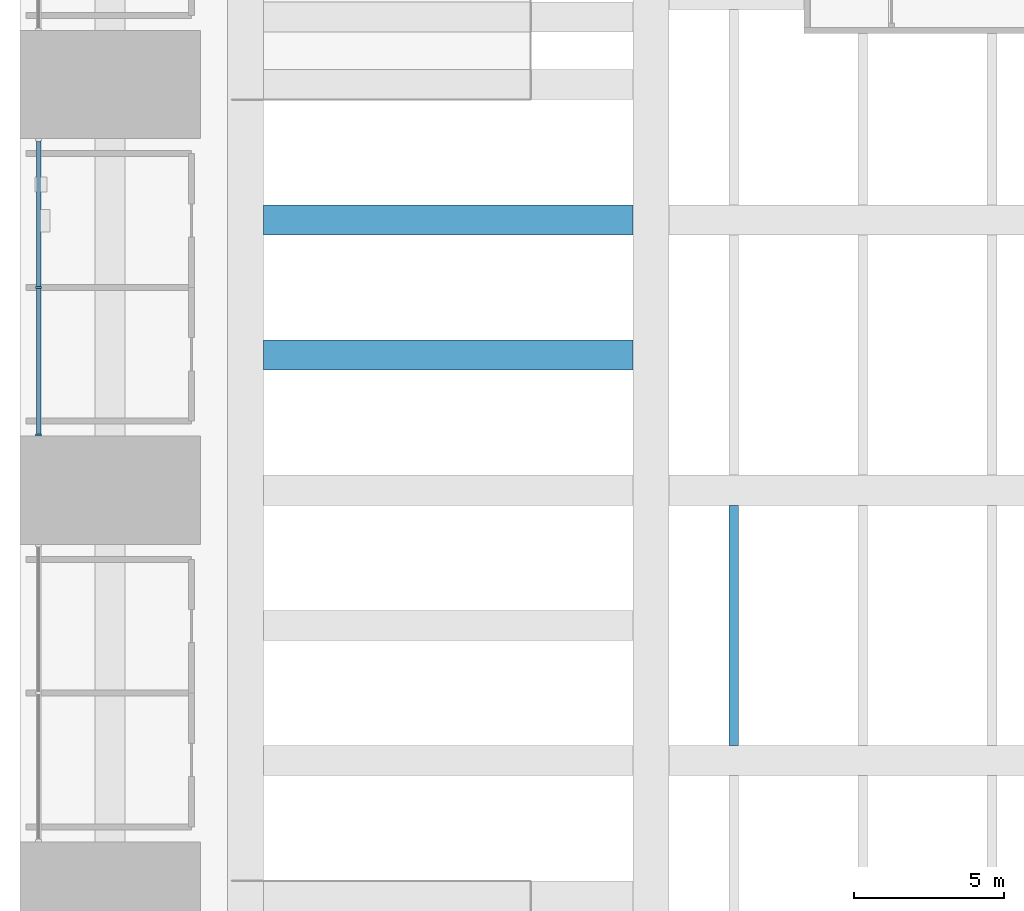
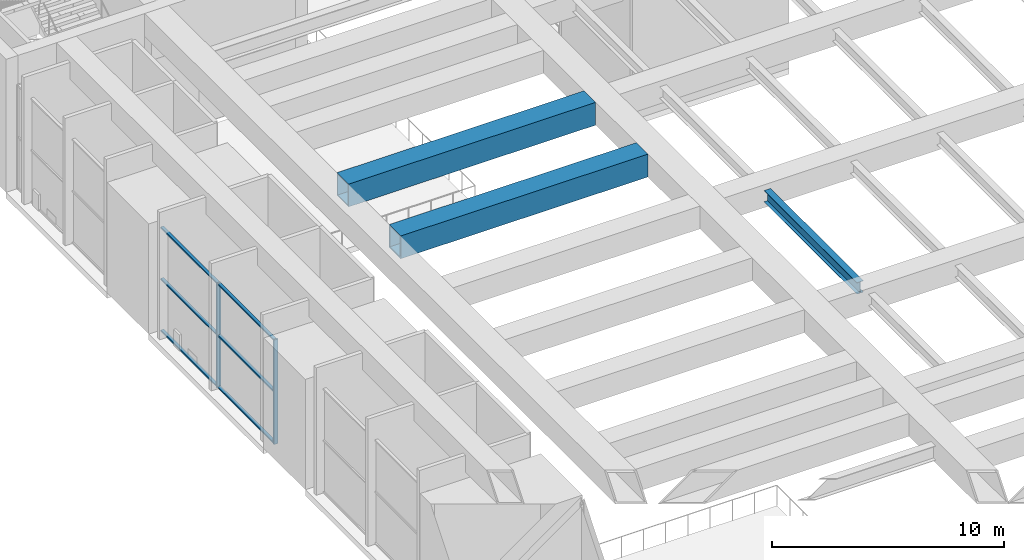
# One storey, part 10 of 45: 10 members, 1 beam, 1 element without a shape of its own.
"""IFC4 building model written with IfcOpenShell, lengths in metres."""

from ifc_helpers import new_model, si_unit, direction, frame, origin, origin_2d, place, context, subcontext, project, spatial, rectangle, hollow_rectangle, i_section, extrude, material, layer, layer_set, material_profile, profile_set, type_object, element, aggregate, save


model = new_model("IFC4")

# Units and contexts
model_context = context("Model", 3, precision=1e-05, world=origin(), true_north=direction((0.0, 1.0)))
body_context = subcontext(model_context, "Body", "Model", "MODEL_VIEW")
ifc_project = project(units=[si_unit("LENGTHUNIT", "METRE"), si_unit("AREAUNIT", "SQUARE_METRE"), si_unit("VOLUMEUNIT", "CUBIC_METRE"), si_unit("PLANEANGLEUNIT", "RADIAN"), si_unit("MASSUNIT", "GRAM", prefix="KILO")], contexts=[model_context])

# Site, building, storey
site_placement = place(None, origin())
site = spatial("IfcSite", under=ifc_project, at=site_placement, CompositionType="ELEMENT")
building_placement = place(site_placement, origin())
building = spatial("IfcBuilding", under=site, at=building_placement, Name="Corbelhall Arena Tower", CompositionType="ELEMENT")
storey_placement = place(building_placement, frame((0.0, 0.0, 37.0)))
storey = spatial("IfcBuildingStorey", under=building, at=storey_placement, Name="L05", CompositionType="ELEMENT", Elevation=37.0)

# Curtain wall, members
ifc_material_1 = material(Name="Aluminium black anodised", Category="aluminium")
ifc_layer = layer(ifc_material_1, 0.239990234375)
ifc_layer_set = layer_set([ifc_layer], Name="EV-CW4 Arena concourse glazing")
curtain_wall_type = type_object("IfcCurtainWallType", Name="EV-CW4 Arena concourse glazing", PredefinedType="NOTDEFINED", material=ifc_layer_set)
curtain_wall_placement = place(storey_placement, origin())
curtain_wall = element("IfcCurtainWall", 1, at=curtain_wall_placement, inside=storey, type_object=curtain_wall_type, Name="Curtain wall CW4", PredefinedType="NOTDEFINED")
ifc_material_profile_1 = material_profile(ifc_material_1, rectangle(XDim=0.199951171875, YDim=0.074951171875, at=origin_2d()))
ifc_profile_set_1 = profile_set([ifc_material_profile_1], Name="Aluminium black anodised")
member_type_1 = type_object("IfcMemberType", Name="EV-CW4-MULLION", PredefinedType="MULLION", material=ifc_profile_set_1)
member_1_placement = place(storey_placement, frame((-47.3798828125, 6.75, 0.0), z_axis=(0.0, 0.0, 1.0), x_axis=(1.0, 0.0, 0.0)))
member_1 = element("IfcMember", 2, at=member_1_placement, type_object=member_type_1, Name="CW4 mullion 2", PredefinedType="MULLION", context=body_context, shape_type="SweptSolid", body=[
    extrude(rectangle(XDim=0.199951171875, YDim=0.074951171875, at=origin_2d()), origin(), (0.0, 0.0, 1.0), 5.5),
])
member_2_placement = place(storey_placement, frame((-47.3798828125, 1.83740234375, 0.0), z_axis=(0.0, 0.0, 1.0), x_axis=(1.0, 0.0, 0.0)))
member_2 = element("IfcMember", 3, at=member_2_placement, type_object=member_type_1, Name="CW4 mullion 3", PredefinedType="MULLION", context=body_context, shape_type="SweptSolid", body=[
    extrude(rectangle(XDim=0.199951171875, YDim=0.074951171875, at=origin_2d()), origin(), (0.0, 0.0, 1.0), 5.5),
])
ifc_material_profile_2 = material_profile(ifc_material_1, rectangle(XDim=0.14990234375, YDim=0.074951171875, at=origin_2d()))
ifc_profile_set_2 = profile_set([ifc_material_profile_2], Name="Aluminium black anodised")
member_type_2 = type_object("IfcMemberType", Name="EV-CW4-TRANSOM", PredefinedType="USERDEFINED", material=ifc_profile_set_2)
member_3_placement = place(storey_placement, frame((-47.3798828125, 11.625, 0.03759765625), z_axis=(0.0, -1.0, 0.0), x_axis=(1.0, 0.0, 0.0)))
member_3 = element("IfcMember", 4, at=member_3_placement, type_object=member_type_2, Name="CW4 transom 1.1", ObjectType="transom", PredefinedType="USERDEFINED", context=body_context, shape_type="SweptSolid", body=[
    extrude(rectangle(XDim=0.14990234375, YDim=0.074951171875, at=origin_2d()), origin(), (0.0, 0.0, 1.0), 4.83740234375),
])
member_4_placement = place(storey_placement, frame((-47.3798828125, 11.625, 2.75), z_axis=(0.0, -1.0, 0.0), x_axis=(1.0, 0.0, 0.0)))
member_4 = element("IfcMember", 5, at=member_4_placement, type_object=member_type_2, Name="CW4 transom 1.2", ObjectType="transom", PredefinedType="USERDEFINED", context=body_context, shape_type="SweptSolid", body=[
    extrude(rectangle(XDim=0.14990234375, YDim=0.074951171875, at=origin_2d()), origin(), (0.0, 0.0, 1.0), 4.83740234375),
])
member_5_placement = place(storey_placement, frame((-47.3798828125, 11.625, 5.46240234375), z_axis=(0.0, -1.0, 0.0), x_axis=(1.0, 0.0, 0.0)))
member_5 = element("IfcMember", 6, at=member_5_placement, type_object=member_type_2, Name="CW4 transom 1.3", ObjectType="transom", PredefinedType="USERDEFINED", context=body_context, shape_type="SweptSolid", body=[
    extrude(rectangle(XDim=0.14990234375, YDim=0.074951171875, at=origin_2d()), origin(), (0.0, 0.0, 1.0), 4.83740234375),
])
member_6_placement = place(storey_placement, frame((-47.3798828125, 6.71240234375, 0.03759765625), z_axis=(0.0, -1.0, 0.0), x_axis=(1.0, 0.0, 0.0)))
member_6 = element("IfcMember", 7, at=member_6_placement, type_object=member_type_2, Name="CW4 transom 2.1", ObjectType="transom", PredefinedType="USERDEFINED", context=body_context, shape_type="SweptSolid", body=[
    extrude(rectangle(XDim=0.14990234375, YDim=0.074951171875, at=origin_2d()), origin(), (0.0, 0.0, 1.0), 4.83740234375),
])
member_7_placement = place(storey_placement, frame((-47.3798828125, 6.71240234375, 2.75), z_axis=(0.0, -1.0, 0.0), x_axis=(1.0, 0.0, 0.0)))
member_7 = element("IfcMember", 8, at=member_7_placement, type_object=member_type_2, Name="CW4 transom 2.2", ObjectType="transom", PredefinedType="USERDEFINED", context=body_context, shape_type="SweptSolid", body=[
    extrude(rectangle(XDim=0.14990234375, YDim=0.074951171875, at=origin_2d()), origin(), (0.0, 0.0, 1.0), 4.83740234375),
])
member_8_placement = place(storey_placement, frame((-47.3798828125, 6.71240234375, 5.46240234375), z_axis=(0.0, -1.0, 0.0), x_axis=(1.0, 0.0, 0.0)))
member_8 = element("IfcMember", 9, at=member_8_placement, type_object=member_type_2, Name="CW4 transom 2.3", ObjectType="transom", PredefinedType="USERDEFINED", context=body_context, shape_type="SweptSolid", body=[
    extrude(rectangle(XDim=0.14990234375, YDim=0.074951171875, at=origin_2d()), origin(), (0.0, 0.0, 1.0), 4.83740234375),
])
aggregate(curtain_wall, [member_1, member_2, member_3, member_4, member_5, member_6, member_7, member_8])

# Beam
ifc_material_2 = material(Name="Steel ASTM A992 Gr50", Category="steel")
ifc_material_profile_3 = material_profile(ifc_material_2, i_section(OverallWidth=0.323974609375, OverallDepth=0.611083984375, WebThickness=0.0126953125, FlangeThickness=0.01904296875, at=origin_2d()))
ifc_profile_set_3 = profile_set([ifc_material_profile_3], Name="Steel ASTM A992 Gr50")
beam_type = type_object("IfcBeamType", Name="PO-BEAM-W24X104", PredefinedType="BEAM", material=ifc_profile_set_3)
beam_placement = place(storey_placement, frame((-24.25, -8.5, 6.39453125), z_axis=(0.0, 1.0, 0.0), x_axis=(-1.0, 0.0, 0.0)))
element("IfcBeam", 10, at=beam_placement, inside=storey, type_object=beam_type, Name="DECK BEAM BOT 22.1", PredefinedType="BEAM", context=body_context, shape_type="SweptSolid", body=[
    extrude(i_section(OverallWidth=0.323974609375, OverallDepth=0.611083984375, WebThickness=0.0126953125, FlangeThickness=0.01904296875, at=origin_2d()), origin(), (0.0, 0.0, 1.0), 8.0),
])

# Members
ifc_material_3 = material(Name="Steel ASTM A572 Gr50", Category="steel")
ifc_material_profile_4 = material_profile(ifc_material_3, hollow_rectangle(XDim=1.0, YDim=1.199951171875, WallThickness=0.06005859375, at=origin_2d()))
ifc_profile_set_4 = profile_set([ifc_material_profile_4], Name="Steel ASTM A572 Gr50")
member_type_3 = type_object("IfcMemberType", Name="PO-CHORD-1200X1000X60", PredefinedType="CHORD", material=ifc_profile_set_4)
for number, where, z_axis, x_axis, name in (
    (11, (-39.89990234375, 4.5, 6.39990234375), (1.0, 0.0, 0.0), (0.0, 1.0, 0.0), "TRUSS SEC-N04.50-0 BOT CHORD"),
    (12, (-39.89990234375, 9.0, 6.39990234375), (1.0, 0.0, 0.0), (0.0, 1.0, 0.0), "TRUSS SEC-N09.00-0 BOT CHORD"),
):
    element("IfcMember", number, at=place(storey_placement, frame(where, z_axis=z_axis, x_axis=x_axis)), inside=storey, type_object=member_type_3, Name=name, PredefinedType="CHORD", context=body_context, shape_type="SweptSolid", body=[
        extrude(hollow_rectangle(XDim=1.0, YDim=1.199951171875, WallThickness=0.06005859375, at=origin_2d()), origin(), (0.0, 0.0, 1.0), 12.2998046875),
    ])

save(model, "model.ifc")
